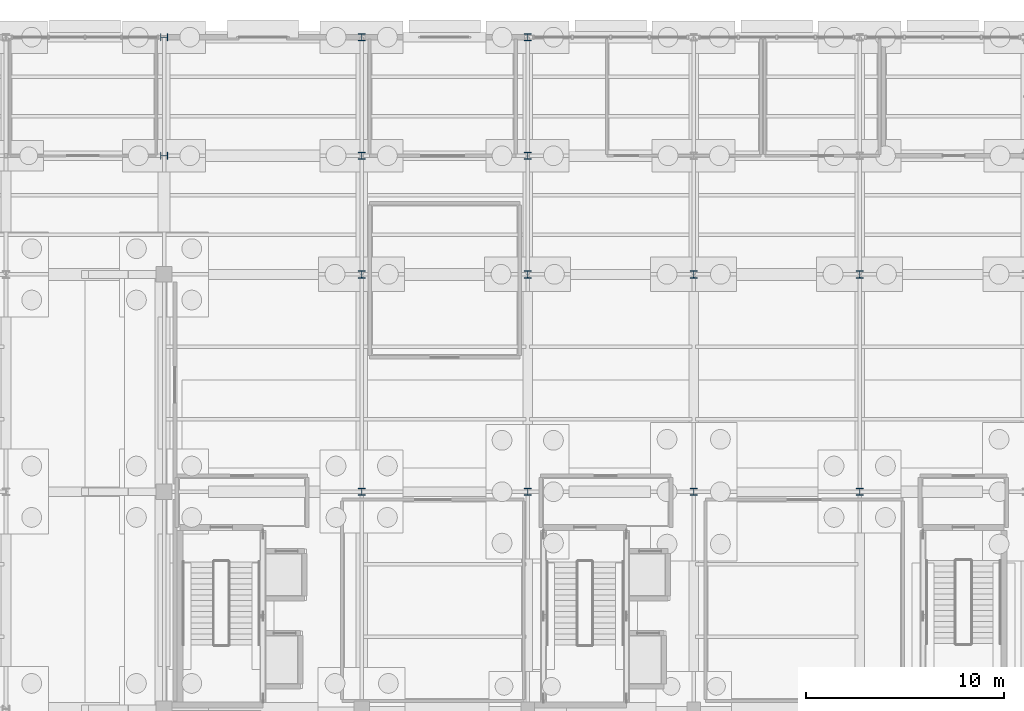
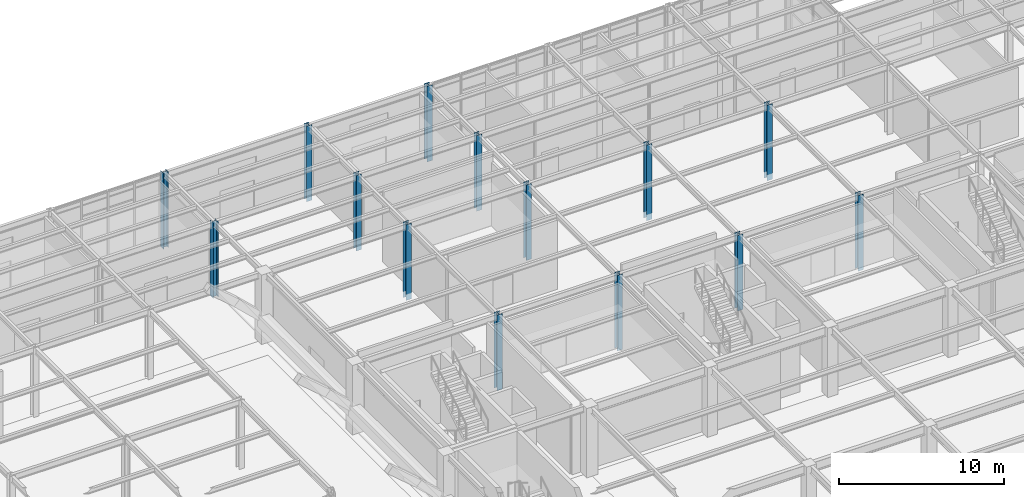
# One storey, part 25 of 129: 14 columns.
"""IFC4 building model written with IfcOpenShell, lengths in metres."""

import ifcopenshell
import ifcopenshell.guid

model = None  # the IFC model being written
_history = None  # IfcOwnerHistory: only IFC2X3 demands one
_inside = {}  # id of a spatial element -> (the spatial element, [elements in it])
_under = {}  # id of a project, library or spatial element -> (it, [spatial elements below it])
_declared = {}  # id of a project -> (the project, [libraries it declares])
_typed = {}  # id of a type object -> (the type object, [elements of that type])
_made_of = {}  # id of a material, layer set ... -> (it, [elements and type objects made of it])


def new_model(schema):
    """Start an empty IFC model of exactly this schema.

    Asked for "IFC4X3", IfcOpenShell would pick the latest addendum, in which some entities
    have other attributes; the version numbers below select the first issue.
    IFC2X3 requires an IfcOwnerHistory on every rooted entity: one is made here for all.
    """
    global model, _history
    if schema == "IFC4X3":
        model = ifcopenshell.file(schema_version=(4, 3, 0, 0))
    else:
        model = ifcopenshell.file(schema=schema)
    _inside.clear()
    _under.clear()
    _declared.clear()
    _typed.clear()
    _made_of.clear()
    _history = None
    if model.schema == "IFC2X3":
        org = make("IfcOrganization", Name="unknown")
        user = make(
            "IfcPersonAndOrganization",
            ThePerson=make("IfcPerson", FamilyName="unknown"),
            TheOrganization=org,
        )
        app = make(
            "IfcApplication",
            ApplicationDeveloper=org,
            Version="unknown",
            ApplicationFullName="unknown",
            ApplicationIdentifier="unknown",
        )
        _history = make(
            "IfcOwnerHistory",
            OwningUser=user,
            OwningApplication=app,
            ChangeAction="ADDED",
            CreationDate=0,
        )
    return model


def make(cls, **values):
    """One entity of the class cls with the attributes given. An attribute that is None is left unset."""
    return model.create_entity(
        cls, **{name: value for name, value in values.items() if value is not None}
    )


def rooted(cls, **values):
    """An entity with a GlobalId (a new one), such as an element, a storey or a relation."""
    return make(cls, GlobalId=ifcopenshell.guid.new(), OwnerHistory=_history, **values)


def si_unit(unit_type, name, prefix=None):
    """IfcSIUnit, for example si_unit("LENGTHUNIT", "METRE", prefix="MILLI")."""
    return make("IfcSIUnit", UnitType=unit_type, Prefix=prefix, Name=name)


def assignment(units):
    """IfcUnitAssignment: the units of a project."""
    return None if units is None else make("IfcUnitAssignment", Units=units)


def point(xyz):
    """IfcCartesianPoint."""
    return None if xyz is None else make("IfcCartesianPoint", Coordinates=xyz)


def direction(xyz):
    """IfcDirection."""
    return None if xyz is None else make("IfcDirection", DirectionRatios=xyz)


def frame(location, z_axis=None, x_axis=None):
    """IfcAxis2Placement3D, a coordinate frame: its origin and axes. An axis left out is left unset."""
    return make(
        "IfcAxis2Placement3D",
        Location=point(location),
        Axis=direction(z_axis),
        RefDirection=direction(x_axis),
    )


def frame_2d(location, x_axis=None):
    """IfcAxis2Placement2D, a coordinate frame in the plane: its origin and x axis."""
    return make(
        "IfcAxis2Placement2D", Location=point(location), RefDirection=direction(x_axis)
    )


def origin():
    """The frame at (0, 0, 0) with its axes left unset."""
    return frame((0.0, 0.0, 0.0))


def origin_2d():
    """The frame at (0, 0) in the plane with its x axis left unset."""
    return frame_2d((0.0, 0.0))


def place(relative_to, where):
    """IfcLocalPlacement: puts the frame where relative to a parent placement (None: the world)."""
    return make(
        "IfcLocalPlacement", PlacementRelTo=relative_to, RelativePlacement=where
    )


def context(
    kind, dimensions, precision=None, world=None, true_north=None, identifier=None
):
    """IfcGeometricRepresentationContext, for example the 3D "Model" context."""
    return make(
        "IfcGeometricRepresentationContext",
        ContextIdentifier=identifier,
        ContextType=kind,
        CoordinateSpaceDimension=dimensions,
        Precision=precision,
        WorldCoordinateSystem=world,
        TrueNorth=true_north,
    )


def subcontext(parent, identifier, kind, view, scale=None):
    """IfcGeometricRepresentationSubContext, for example "Body" below "Model"."""
    return make(
        "IfcGeometricRepresentationSubContext",
        ContextIdentifier=identifier,
        ContextType=kind,
        ParentContext=parent,
        TargetScale=scale,
        TargetView=view,
    )


def project(units=None, contexts=None):
    """IfcProject with its units and contexts."""
    return rooted(
        "IfcProject",
        Name="project",
        RepresentationContexts=contexts,
        UnitsInContext=assignment(units),
    )


def spatial(cls, under=None, at=None, **own):
    """A site, building, storey or space (cls), placed at a placement, below another one or the project."""
    s = rooted(cls, ObjectPlacement=at, **own)
    if under is not None:
        _under.setdefault(under.id(), (under, []))[1].append(s)
    return s


def profile(cls, at=None, kind="AREA", **sizes):
    """A parametric profile (cls). Its sizes go by their IFC names, for example OverallWidth=200.0."""
    return make(cls, ProfileType=kind, Position=at, **sizes)


def i_section(**sizes):
    """IfcIShapeProfileDef."""
    return profile("IfcIShapeProfileDef", **sizes)


def extrude(swept, where, along, depth):
    """IfcExtrudedAreaSolid: the profile swept, set in the frame where, extruded along a direction by depth."""
    return make(
        "IfcExtrudedAreaSolid",
        SweptArea=swept,
        Position=where,
        ExtrudedDirection=direction(along),
        Depth=depth,
    )


def shape(context_of_items, identifier, shape_type, items):
    """IfcShapeRepresentation: the items that make up one representation, for example the "Body"."""
    return make(
        "IfcShapeRepresentation",
        ContextOfItems=context_of_items,
        RepresentationIdentifier=identifier,
        RepresentationType=shape_type,
        Items=items,
    )


def material(Name=None, Category=None):
    """IfcMaterial."""
    return make("IfcMaterial", Name=Name, Category=Category)


def material_profile(
    of_material, cross_section, Name=None, Category=None, Priority=None
):
    """IfcMaterialProfile: a cross section and its material."""
    return make(
        "IfcMaterialProfile",
        Name=Name,
        Material=of_material,
        Profile=cross_section,
        Priority=Priority,
        Category=Category,
    )


def profile_set(profiles, Name=None, composite=None):
    """IfcMaterialProfileSet."""
    return make(
        "IfcMaterialProfileSet",
        Name=Name,
        MaterialProfiles=profiles,
        CompositeProfile=composite,
    )


def made_of(thing, what):
    """Note that an element or type object is made of a material, layer set ...; save() writes the relation."""
    if what is not None:
        _made_of.setdefault(what.id(), (what, []))[1].append(thing)
    return thing


def type_object(cls, material=None, **own):
    """A type object (cls), such as IfcWallType, which elements share."""
    return made_of(rooted(cls, **own), material)


def element(
    cls,
    number,
    at=None,
    inside=None,
    cuts=None,
    type_object=None,
    material=None,
    context=None,
    identifier="Body",
    shape_type=None,
    held_by="IfcProductDefinitionShape",
    body=None,
    shapes=None,
    **own,
):
    """One element of the class cls, such as IfcWall. Its Tag is "e" and its number.

    at: its placement. inside: the storey or other place that contains it. cuts: it is an
    opening in that element (IfcRelVoidsElement). A single representation is given by context,
    identifier, shape_type and body (its items); several are given by shapes. held_by: the class
    of the entity that holds the representations. save() writes the other relations.
    """
    e = rooted(cls, Tag="e%d" % number, ObjectPlacement=at, **own)
    if body is not None:
        shapes = [shape(context, identifier, shape_type, body)]
    if shapes is not None:
        e.Representation = make(held_by, Representations=shapes)
    if inside is not None:
        _inside.setdefault(inside.id(), (inside, []))[1].append(e)
    if cuts is not None:
        rooted(
            "IfcRelVoidsElement", RelatingBuildingElement=cuts, RelatedOpeningElement=e
        )
    if type_object is not None:
        _typed.setdefault(type_object.id(), (type_object, []))[1].append(e)
    return made_of(e, material)


def aggregate(whole, parts):
    """IfcRelAggregates: a whole, such as a stair, and the parts it consists of."""
    return rooted("IfcRelAggregates", RelatingObject=whole, RelatedObjects=parts)


def save(model, path):
    """Write the relations noted so far, then the file.

    IfcRelAggregates (storeys below a building ...), IfcRelContainedInSpatialStructure (elements
    in a storey), IfcRelDefinesByType, IfcRelAssociatesMaterial and IfcRelDeclares: one each for
    every whole, place, type object, material and project.
    """
    for whole, parts in _under.values():
        aggregate(whole, parts)
    for where, things in _inside.values():
        rooted(
            "IfcRelContainedInSpatialStructure",
            RelatedElements=things,
            RelatingStructure=where,
        )
    for kind, things in _typed.values():
        rooted("IfcRelDefinesByType", RelatedObjects=things, RelatingType=kind)
    for what, things in _made_of.values():
        rooted("IfcRelAssociatesMaterial", RelatedObjects=things, RelatingMaterial=what)
    for by, libraries in _declared.values():
        rooted("IfcRelDeclares", RelatingContext=by, RelatedDefinitions=libraries)
    model.write(path)


model = new_model("IFC4")

# Units and contexts
model_context = context("Model", 3, precision=1e-05, world=origin(), true_north=direction((0.0, 1.0)))
body_context = subcontext(model_context, "Body", "Model", "MODEL_VIEW")
ifc_project = project(units=[si_unit("LENGTHUNIT", "METRE"), si_unit("AREAUNIT", "SQUARE_METRE"), si_unit("VOLUMEUNIT", "CUBIC_METRE"), si_unit("PLANEANGLEUNIT", "RADIAN"), si_unit("MASSUNIT", "GRAM", prefix="KILO")], contexts=[model_context])

# Site, building, storey
site_placement = place(None, origin())
site = spatial("IfcSite", under=ifc_project, at=site_placement, CompositionType="ELEMENT")
building_placement = place(site_placement, origin())
building = spatial("IfcBuilding", under=site, at=building_placement, Name="Sitalva Quay Ferry Terminal", CompositionType="ELEMENT")
storey_placement = place(building_placement, origin())
storey = spatial("IfcBuildingStorey", under=building, at=storey_placement, Name="L01", CompositionType="ELEMENT", Elevation=0.0)

# Columns
ifc_material_1 = material(Name="Structural Steel S355JR", Category="steel")
ifc_material_profile_1 = material_profile(ifc_material_1, i_section(OverallWidth=0.368896484375, OverallDepth=0.35595703125, WebThickness=0.01123046875, FlangeThickness=0.01806640625, FilletRadius=0.014892578125, at=origin_2d()), Name="W360x134")
ifc_profile_set_1 = profile_set([ifc_material_profile_1], Name="Structural Steel S355JR")
column_type_1 = type_object("IfcColumnType", Name="Col_W360x134", PredefinedType="COLUMN", material=ifc_profile_set_1)
for number, where, z_axis, x_axis, name in (
    (1, (74.0, 106.0, -0.449951171875), (0.0, 0.0, 1.0), (0.0, 1.0, 0.0), "L01 column 10M"),
    (2, (84.0, 106.0, -0.449951171875), (0.0, 0.0, 1.0), (1.0, 0.0, 0.0), "L01 column 11M"),
    (3, (92.39990234375, 106.0, -0.449951171875), (0.0, 0.0, 1.0), (1.0, 0.0, 0.0), "L01 column 12M"),
    (4, (74.0, 112.0, -0.449951171875), (0.0, 0.0, 1.0), (0.0, 1.0, 0.0), "L01 column 10N"),
    (5, (84.0, 112.0, -0.449951171875), (0.0, 0.0, 1.0), (1.0, 0.0, 0.0), "L01 column 11N"),
    (6, (92.39990234375, 112.0, -0.449951171875), (0.0, 0.0, 1.0), (1.0, 0.0, 0.0), "L01 column 12N"),
):
    element("IfcColumn", number, at=place(storey_placement, frame(where, z_axis=z_axis, x_axis=x_axis)), inside=storey, type_object=column_type_1, Name=name, PredefinedType="COLUMN", context=body_context, shape_type="SweptSolid", body=[
        extrude(i_section(OverallWidth=0.368896484375, OverallDepth=0.35595703125, WebThickness=0.01123046875, FlangeThickness=0.01806640625, FilletRadius=0.014892578125, at=origin_2d()), origin(), (0.0, 0.0, 1.0), 5.570068359375),
    ])
ifc_material_2 = material(Name="Structural Steel S355JR", Category="steel")
ifc_material_profile_2 = material_profile(ifc_material_2, i_section(OverallWidth=0.3740234375, OverallDepth=0.3720703125, WebThickness=0.016357421875, FlangeThickness=0.026123046875, FilletRadius=0.01611328125, at=origin_2d()), Name="W360x196")
ifc_profile_set_2 = profile_set([ifc_material_profile_2], Name="Structural Steel S355JR")
column_type_2 = type_object("IfcColumnType", Name="Col_W360x196", PredefinedType="COLUMN", material=ifc_profile_set_2)
for number, where, z_axis, x_axis, name in (
    (7, (84.0, 89.0, -0.449951171875), (0.0, 0.0, 1.0), (1.0, 0.0, 0.0), "L01 column 11K"),
    (8, (92.39990234375, 89.0, -0.449951171875), (0.0, 0.0, 1.0), (1.0, 0.0, 0.0), "L01 column 12K"),
    (9, (100.800048828125, 89.0, -0.449951171875), (0.0, 0.0, 1.0), (1.0, 0.0, 0.0), "L01 column 13K"),
    (10, (109.199951171875, 89.0, -0.449951171875), (0.0, 0.0, 1.0), (1.0, 0.0, 0.0), "L01 column 14K"),
    (11, (84.0, 100.0, -0.449951171875), (0.0, 0.0, 1.0), (1.0, 0.0, 0.0), "L01 column 11L"),
    (12, (92.39990234375, 100.0, -0.449951171875), (0.0, 0.0, 1.0), (1.0, 0.0, 0.0), "L01 column 12L"),
    (13, (100.800048828125, 100.0, -0.449951171875), (0.0, 0.0, 1.0), (1.0, 0.0, 0.0), "L01 column 13L"),
    (14, (109.199951171875, 100.0, -0.449951171875), (0.0, 0.0, 1.0), (1.0, 0.0, 0.0), "L01 column 14L"),
):
    element("IfcColumn", number, at=place(storey_placement, frame(where, z_axis=z_axis, x_axis=x_axis)), inside=storey, type_object=column_type_2, Name=name, PredefinedType="COLUMN", context=body_context, shape_type="SweptSolid", body=[
        extrude(i_section(OverallWidth=0.3740234375, OverallDepth=0.3720703125, WebThickness=0.016357421875, FlangeThickness=0.026123046875, FilletRadius=0.01611328125, at=origin_2d()), origin(), (0.0, 0.0, 1.0), 5.570068359375),
    ])

save(model, "model.ifc")
